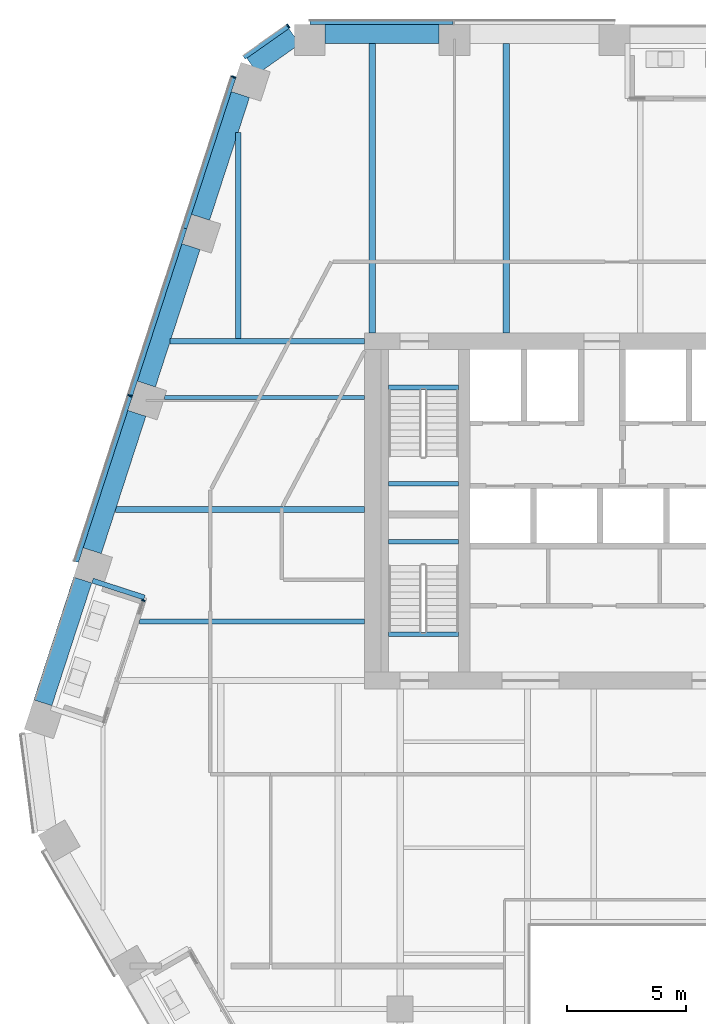
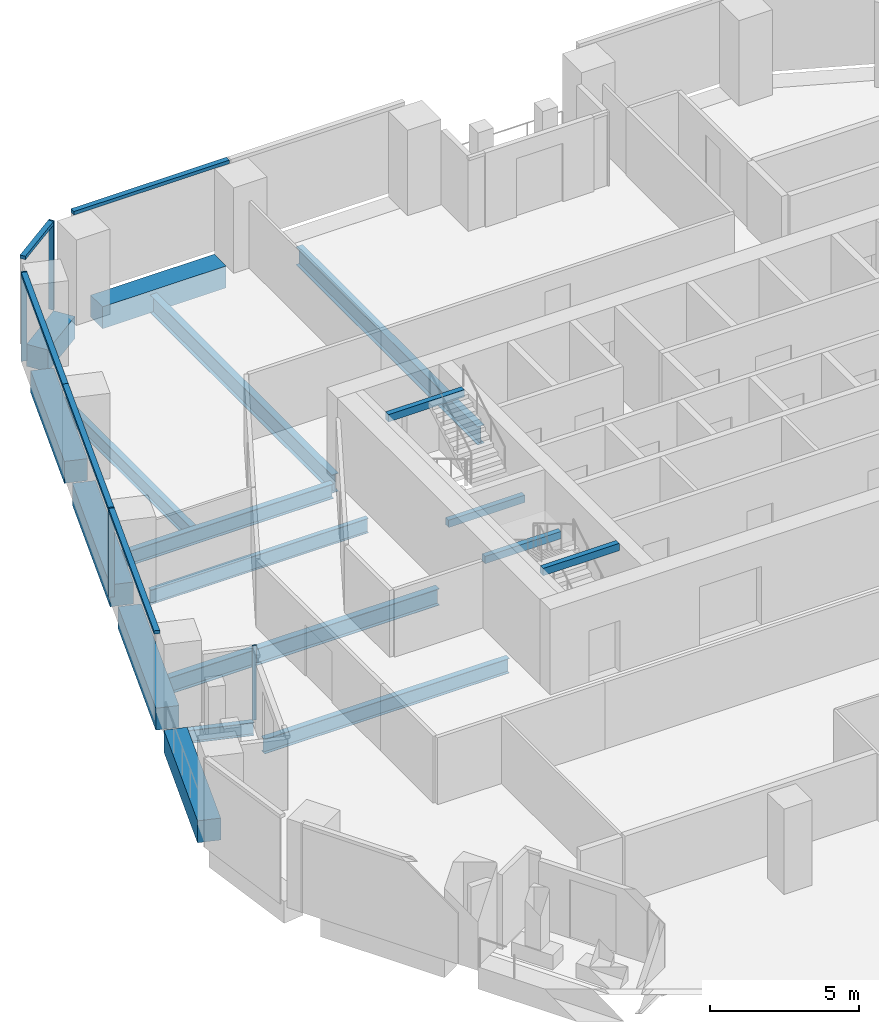
# One storey, part 7 of 25: 18 beams, 9 members, 4 elements without a shape of their own.
"""IFC4 building model written with IfcOpenShell, lengths in metres."""

from ifc_helpers import new_model, si_unit, direction, frame, origin, origin_2d, place, context, subcontext, project, spatial, rectangle, i_section, extrude, material, layer, layer_set, material_profile, profile_set, type_object, element, aggregate, save


model = new_model("IFC4")

# Units and contexts
model_context = context("Model", 3, precision=1e-05, world=origin(), true_north=direction((0.0, 1.0)))
body_context = subcontext(model_context, "Body", "Model", "MODEL_VIEW")
ifc_project = project(units=[si_unit("LENGTHUNIT", "METRE"), si_unit("AREAUNIT", "SQUARE_METRE"), si_unit("VOLUMEUNIT", "CUBIC_METRE"), si_unit("PLANEANGLEUNIT", "RADIAN"), si_unit("MASSUNIT", "GRAM", prefix="KILO")], contexts=[model_context])

# Site, building, storey
site_placement = place(None, origin())
site = spatial("IfcSite", under=ifc_project, at=site_placement, CompositionType="ELEMENT")
building_placement = place(site_placement, origin())
building = spatial("IfcBuilding", under=site, at=building_placement, Name="Isthmus Gate Tower", CompositionType="ELEMENT")
storey_placement = place(building_placement, frame((0.0, 0.0, 174.449951171875)))
storey = spatial("IfcBuildingStorey", under=building, at=storey_placement, Name="L43", CompositionType="ELEMENT", Elevation=174.449951171875)

# Curtain wall, member
ifc_material_1 = material(Name="Aluminium, pale champagne anodised", Category="aluminium")
ifc_layer_1 = layer(ifc_material_1, 0.199951171875)
ifc_layer_set_1 = layer_set([ifc_layer_1], Name="CW-1 UNITISED CURTAIN WALL 200 DEEP")
curtain_wall_type_1 = type_object("IfcCurtainWallType", Name="CW-1 UNITISED CURTAIN WALL 200 DEEP", PredefinedType="NOTDEFINED", material=ifc_layer_set_1)
curtain_wall_1_placement = place(storey_placement, origin())
curtain_wall_1 = element("IfcCurtainWall", 1, at=curtain_wall_1_placement, inside=storey, type_object=curtain_wall_type_1, Name="CW-1 N-NW L43", PredefinedType="NOTDEFINED")
ifc_material_2 = material(Name="Aluminium, pale champagne anodised", Category="aluminium")
ifc_material_profile_1 = material_profile(ifc_material_2, rectangle(XDim=0.06005859375, YDim=0.199951171875, at=origin_2d()), Name="60x200")
ifc_profile_set_1 = profile_set([ifc_material_profile_1], Name="Aluminium, pale champagne anodised")
member_type_1 = type_object("IfcMemberType", Name="CW-1 MULLION 60 X 200", PredefinedType="MULLION", material=ifc_profile_set_1)
member_1_placement = place(storey_placement, frame((-18.216552734375, 27.943115234375, 0.0), z_axis=(0.0, 0.0, 1.0), x_axis=(-0.81785959165, -0.57541783805, 0.0)))
member_1 = element("IfcMember", 2, at=member_1_placement, type_object=member_type_1, Name="CW-1 mullion", PredefinedType="MULLION", context=body_context, shape_type="SweptSolid", body=[
    extrude(rectangle(XDim=0.06005859375, YDim=0.199951171875, at=origin_2d()), origin(), (0.0, 0.0, 1.0), 3.650146484375),
])

# Curtain wall, members
curtain_wall_2_placement = place(storey_placement, origin())
curtain_wall_2 = element("IfcCurtainWall", 3, at=curtain_wall_2_placement, inside=storey, type_object=curtain_wall_type_1, Name="CW-1 NW L43", PredefinedType="NOTDEFINED")
member_2_placement = place(storey_placement, frame((-20.52001953125, 25.799072265625, 0.0), z_axis=(0.0, 0.0, 1.0), x_axis=(-0.309016994375, -0.951056516295, 0.0)))
member_2 = element("IfcMember", 4, at=member_2_placement, type_object=member_type_1, Name="CW-1 mullion", PredefinedType="MULLION", context=body_context, shape_type="SweptSolid", body=[
    extrude(rectangle(XDim=0.06005859375, YDim=0.199951171875, at=origin_2d()), origin(), (0.0, 0.0, 1.0), 3.650146484375),
])
member_3_placement = place(storey_placement, frame((-24.886962890625, 12.359130859375, 0.0), z_axis=(0.0, 0.0, 1.0), x_axis=(-0.309016994375, -0.951056516295, 0.0)))
member_3 = element("IfcMember", 5, at=member_3_placement, type_object=member_type_1, Name="CW-1 mullion", PredefinedType="MULLION", context=body_context, shape_type="SweptSolid", body=[
    extrude(rectangle(XDim=0.06005859375, YDim=0.199951171875, at=origin_2d()), origin(), (0.0, 0.0, 1.0), 3.650146484375),
])

# Curtain wall, member
curtain_wall_3_placement = place(storey_placement, origin())
curtain_wall_3 = element("IfcCurtainWall", 6, at=curtain_wall_3_placement, inside=storey, type_object=curtain_wall_type_1, Name="CW-1 N L43", PredefinedType="NOTDEFINED")
ifc_material_3 = material(Name="Aluminium, pale champagne anodised", Category="aluminium")
ifc_material_profile_2 = material_profile(ifc_material_3, rectangle(XDim=0.199951171875, YDim=0.139892578125, at=origin_2d()), Name="200x140")
ifc_profile_set_2 = profile_set([ifc_material_profile_2], Name="Aluminium, pale champagne anodised")
member_type_2 = type_object("IfcMemberType", Name="CW-1 TRANSOM 200 X 140", PredefinedType="USERDEFINED", material=ifc_profile_set_2)
member_4_placement = place(storey_placement, frame((-11.271728515625, 28.10009765625, 3.580078125), z_axis=(-1.0, 0.0, 0.0), x_axis=(0.0, -1.0, 0.0)))
member_4 = element("IfcMember", 7, at=member_4_placement, type_object=member_type_2, Name="CW-1 transom", ObjectType="TRANSOM", PredefinedType="USERDEFINED", context=body_context, shape_type="SweptSolid", body=[
    extrude(rectangle(XDim=0.199951171875, YDim=0.139892578125, at=origin_2d()), origin(), (0.0, 0.0, 1.0), 6.040283203125),
])
aggregate(curtain_wall_3, [member_4])

# Member
member_5_placement = place(storey_placement, frame((-18.2412109375, 27.92578125, 3.580078125), z_axis=(-0.817868595604, -0.575405040233, 0.0), x_axis=(0.575405040233, -0.817868595604, 0.0)))
member_5 = element("IfcMember", 8, at=member_5_placement, type_object=member_type_2, Name="CW-1 transom", ObjectType="TRANSOM", PredefinedType="USERDEFINED", context=body_context, shape_type="SweptSolid", body=[
    extrude(rectangle(XDim=0.199951171875, YDim=0.139892578125, at=origin_2d()), origin(), (0.0, 0.0, 1.0), 2.258544921875),
])

aggregate(curtain_wall_1, [member_1, member_5])

member_6_placement = place(storey_placement, frame((-20.529296875, 25.7705078125, 3.580078125), z_axis=(-0.309015834351, -0.951056893209, 0.0), x_axis=(0.951056893209, -0.309015834351, 0.0)))
member_6 = element("IfcMember", 9, at=member_6_placement, type_object=member_type_2, Name="CW-1 transom", ObjectType="TRANSOM", PredefinedType="USERDEFINED", context=body_context, shape_type="SweptSolid", body=[
    extrude(rectangle(XDim=0.199951171875, YDim=0.139892578125, at=origin_2d()), origin(), (0.0, 0.0, 1.0), 6.6806640625),
])

member_7_placement = place(storey_placement, frame((-22.59375, 19.416748046875, 3.580078125), z_axis=(-0.309024076379, -0.951054215183, 0.0), x_axis=(0.951054215183, -0.309024076379, 0.0)))
member_7 = element("IfcMember", 10, at=member_7_placement, type_object=member_type_2, Name="CW-1 transom", ObjectType="TRANSOM", PredefinedType="USERDEFINED", context=body_context, shape_type="SweptSolid", body=[
    extrude(rectangle(XDim=0.199951171875, YDim=0.139892578125, at=origin_2d()), origin(), (0.0, 0.0, 1.0), 7.390869140625),
])

member_8_placement = place(storey_placement, frame((-24.896240234375, 12.33056640625, 3.580078125), z_axis=(-0.309025074527, -0.951053890857, 0.0), x_axis=(0.951053890857, -0.309025074527, 0.0)))
member_8 = element("IfcMember", 11, at=member_8_placement, type_object=member_type_2, Name="CW-1 transom", ObjectType="TRANSOM", PredefinedType="USERDEFINED", context=body_context, shape_type="SweptSolid", body=[
    extrude(rectangle(XDim=0.199951171875, YDim=0.139892578125, at=origin_2d()), origin(), (0.0, 0.0, 1.0), 7.330810546875),
])

aggregate(curtain_wall_2, [member_2, member_6, member_7, member_3, member_8])

# Curtain wall, member
ifc_material_4 = material(Name="Aluminium, pale champagne anodised", Category="aluminium")
ifc_layer_2 = layer(ifc_material_4, 0.14990234375)
ifc_layer_set_2 = layer_set([ifc_layer_2], Name="CW-6 LOGGIA BACK WALL GLAZING 150 DEEP")
curtain_wall_type_2 = type_object("IfcCurtainWallType", Name="CW-6 LOGGIA BACK WALL GLAZING 150 DEEP", PredefinedType="NOTDEFINED", material=ifc_layer_set_2)
curtain_wall_4_placement = place(storey_placement, origin())
curtain_wall_4 = element("IfcCurtainWall", 12, at=curtain_wall_4_placement, inside=storey, type_object=curtain_wall_type_2, Name="CW-6 NW L43", PredefinedType="NOTDEFINED")
ifc_material_5 = material(Name="Aluminium, pale champagne anodised", Category="aluminium")
ifc_material_profile_3 = material_profile(ifc_material_5, rectangle(XDim=0.06005859375, YDim=0.14990234375, at=origin_2d()), Name="60x150")
ifc_profile_set_3 = profile_set([ifc_material_profile_3], Name="Aluminium, pale champagne anodised")
member_type_3 = type_object("IfcMemberType", Name="CW-6 MULLION 60 X 150", PredefinedType="MULLION", material=ifc_profile_set_3)
member_9_placement = place(storey_placement, frame((-24.328369140625, 3.72314453125, 0.0), z_axis=(0.0, 0.0, 1.0), x_axis=(-0.309016994375, -0.951056516295, 0.0)))
member_9 = element("IfcMember", 13, at=member_9_placement, type_object=member_type_3, Name="CW-6 mullion", PredefinedType="MULLION", context=body_context, shape_type="SweptSolid", body=[
    extrude(rectangle(XDim=0.06005859375, YDim=0.14990234375, at=origin_2d()), origin(), (0.0, 0.0, 1.0), 3.050048828125),
])
aggregate(curtain_wall_4, [member_9])

# Beams
ifc_material_6 = material(Name="Concrete f'c 60 MPa", Category="concrete")
ifc_material_profile_4 = material_profile(ifc_material_6, rectangle(XDim=0.800048828125, YDim=0.89990234375, at=origin_2d()), Name="RC 800X900")
ifc_profile_set_4 = profile_set([ifc_material_profile_4], Name="Concrete f'c 60 MPa")
beam_type_1 = type_object("IfcBeamType", Name="RC SPANDREL 800 X 900", PredefinedType="SPANDREL", material=ifc_profile_set_4)
beam_1_placement = place(storey_placement, frame((-28.568115234375, -0.588623046875, -0.449951171875), z_axis=(0.308989680586, 0.95106539065, 0.0), x_axis=(-0.95106539065, 0.308989680586, 0.0)))
element("IfcBeam", 14, at=beam_1_placement, inside=storey, type_object=beam_type_1, Name="str-spandrel-L43-21", PredefinedType="SPANDREL", context=body_context, shape_type="SweptSolid", body=[
    extrude(rectangle(XDim=0.800048828125, YDim=0.89990234375, at=origin_2d()), origin(), (0.0, 0.0, 1.0), 5.44091796875),
])
for number, where, z_axis, x_axis, name in (
    (15, (-26.485107421875, 5.822265625, -0.449951171875), (0.309003593002, 0.951060870561, 0.0), (-0.951060870561, 0.309003593002, 0.0), "str-spandrel-L43-22"),
    (16, (-24.201416015625, 12.851318359375, -0.449951171875), (0.309039848514, 0.951049090232, 0.0), (-0.951049090232, 0.309039848514, 0.0), "str-spandrel-L43-23"),
):
    element("IfcBeam", number, at=place(storey_placement, frame(where, z_axis=z_axis, x_axis=x_axis)), inside=storey, type_object=beam_type_1, Name=name, PredefinedType="SPANDREL", context=body_context, shape_type="SweptSolid", body=[
        extrude(rectangle(XDim=0.800048828125, YDim=0.89990234375, at=origin_2d()), origin(), (0.0, 0.0, 1.0), 6.0908203125),
    ])
beam_2_placement = place(storey_placement, frame((-21.91748046875, 19.88037109375, -0.449951171875), z_axis=(0.309030267747, 0.951052203413, 0.0), x_axis=(-0.951052203413, 0.309030267747, 0.0)))
element("IfcBeam", 17, at=beam_2_placement, inside=storey, type_object=beam_type_1, Name="str-spandrel-L43-24", PredefinedType="SPANDREL", context=body_context, shape_type="SweptSolid", body=[
    extrude(rectangle(XDim=0.800048828125, YDim=0.89990234375, at=origin_2d()), origin(), (0.0, 0.0, 1.0), 5.44091796875),
])
beam_3_placement = place(storey_placement, frame((-19.7392578125, 26.260498046875, -0.449951171875), z_axis=(0.817857331203, 0.575421050882, 0.0), x_axis=(-0.575421050882, 0.817857331203, 0.0)))
element("IfcBeam", 18, at=beam_3_placement, inside=storey, type_object=beam_type_1, Name="str-spandrel-L43-25", PredefinedType="SPANDREL", context=body_context, shape_type="SweptSolid", body=[
    extrude(rectangle(XDim=0.800048828125, YDim=0.89990234375, at=origin_2d()), origin(), (0.0, 0.0, 1.0), 2.173095703125),
])
beam_4_placement = place(storey_placement, frame((-16.661865234375, 27.60009765625, -0.449951171875), z_axis=(1.0, 0.0, 0.0), x_axis=(0.0, 1.0, 0.0)))
element("IfcBeam", 19, at=beam_4_placement, inside=storey, type_object=beam_type_1, Name="str-spandrel-L43-26", PredefinedType="SPANDREL", context=body_context, shape_type="SweptSolid", body=[
    extrude(rectangle(XDim=0.800048828125, YDim=0.89990234375, at=origin_2d()), origin(), (0.0, 0.0, 1.0), 4.800048828125),
])
ifc_material_7 = material(Name="Concrete f'c 40 MPa", Category="concrete")
ifc_material_profile_5 = material_profile(ifc_material_7, rectangle(XDim=0.199951171875, YDim=0.300048828125, at=origin_2d()), Name="STAIR LANDING BEAM RC 200 X 300")
ifc_profile_set_5 = profile_set([ifc_material_profile_5], Name="Concrete f'c 40 MPa")
beam_type_2 = type_object("IfcBeamType", Name="STAIR LANDING BEAM RC 200 X 300", PredefinedType="BEAM", material=ifc_profile_set_5)
for number, where, z_axis, x_axis, name in (
    (20, (-14.0, 8.64990234375, 1.47509765625), (1.0, 0.0, 0.0), (0.0, 1.0, 0.0), "L43 ST1 landing beam 1"),
    (21, (-14.0, 12.7001953125, 3.35009765625), (1.0, 0.0, 0.0), (0.0, 1.0, 0.0), "L43 ST1 floor-edge seat beam"),
    (22, (-14.0, 6.199951171875, 1.47509765625), (1.0, 0.0, 0.0), (0.0, 1.0, 0.0), "L43 ST7 landing beam 1"),
    (23, (-14.0, 2.2998046875, 3.35009765625), (1.0, 0.0, 0.0), (0.0, 1.0, 0.0), "L43 ST7 floor-edge seat beam"),
):
    element("IfcBeam", number, at=place(storey_placement, frame(where, z_axis=z_axis, x_axis=x_axis)), inside=storey, type_object=beam_type_2, Name=name, PredefinedType="BEAM", context=body_context, shape_type="SweptSolid", body=[
        extrude(rectangle(XDim=0.199951171875, YDim=0.300048828125, at=origin_2d()), origin(), (0.0, 0.0, 1.0), 2.949951171875),
    ])
ifc_material_8 = material(Name="Structural steel ASTM A992 Gr 50", Category="steel")
ifc_material_profile_6 = material_profile(ifc_material_8, i_section(OverallWidth=0.177734375, OverallDepth=0.60009765625, WebThickness=0.009521484375, FlangeThickness=0.0126953125, at=origin_2d()), Name="W24X55")
ifc_profile_set_6 = profile_set([ifc_material_profile_6], Name="Structural steel ASTM A992 Gr 50")
beam_type_3 = type_object("IfcBeamType", Name="STEEL FLOOR BEAM W24X55", PredefinedType="JOIST", material=ifc_profile_set_6)
beam_5_placement = place(storey_placement, frame((-23.438232421875, 12.287841796875, -0.449951171875), z_axis=(1.0, 0.0, 0.0), x_axis=(0.0, 1.0, 0.0)))
element("IfcBeam", 24, at=beam_5_placement, inside=storey, type_object=beam_type_3, Name="str-beam-L43-03-02", PredefinedType="JOIST", context=body_context, shape_type="SweptSolid", body=[
    extrude(i_section(OverallWidth=0.177734375, OverallDepth=0.60009765625, WebThickness=0.009521484375, FlangeThickness=0.0126953125, at=origin_2d()), origin(), (0.0, 0.0, 1.0), 8.438232421875),
])
ifc_material_9 = material(Name="Structural steel ASTM A992 Gr 50", Category="steel")
ifc_material_profile_7 = material_profile(ifc_material_9, i_section(OverallWidth=0.228515625, OverallDepth=0.603271484375, WebThickness=0.010986328125, FlangeThickness=0.014404296875, at=origin_2d()), Name="W24X68")
ifc_profile_set_7 = profile_set([ifc_material_profile_7], Name="Structural steel ASTM A992 Gr 50")
beam_type_4 = type_object("IfcBeamType", Name="STEEL FLOOR BEAM W24X68", PredefinedType="JOIST", material=ifc_profile_set_7)
beam_6_placement = place(storey_placement, frame((-24.50048828125, 2.839111328125, -0.45166015625), z_axis=(1.0, 0.0, 0.0), x_axis=(0.0, 1.0, 0.0)))
element("IfcBeam", 25, at=beam_6_placement, inside=storey, type_object=beam_type_4, Name="str-beam-L43-03-00", PredefinedType="JOIST", context=body_context, shape_type="SweptSolid", body=[
    extrude(i_section(OverallWidth=0.228515625, OverallDepth=0.603271484375, WebThickness=0.010986328125, FlangeThickness=0.014404296875, at=origin_2d()), origin(), (0.0, 0.0, 1.0), 9.50048828125),
])
beam_7_placement = place(storey_placement, frame((-20.332763671875, 14.764404296875, -0.45166015625), z_axis=(0.0, 1.0, 0.0), x_axis=(-1.0, 0.0, 0.0)))
element("IfcBeam", 26, at=beam_7_placement, inside=storey, type_object=beam_type_4, Name="str-beam-L43-07-00", PredefinedType="JOIST", context=body_context, shape_type="SweptSolid", body=[
    extrude(i_section(OverallWidth=0.228515625, OverallDepth=0.603271484375, WebThickness=0.010986328125, FlangeThickness=0.014404296875, at=origin_2d()), origin(), (0.0, 0.0, 1.0), 8.69873046875),
])
ifc_material_10 = material(Name="Structural steel ASTM A992 Gr 50", Category="steel")
ifc_material_profile_8 = material_profile(ifc_material_10, i_section(OverallWidth=0.25390625, OverallDepth=0.679443359375, WebThickness=0.010986328125, FlangeThickness=0.015869140625, at=origin_2d()), Name="W27X84")
ifc_profile_set_8 = profile_set([ifc_material_profile_8], Name="Structural steel ASTM A992 Gr 50")
beam_type_5 = type_object("IfcBeamType", Name="STEEL FLOOR BEAM W27X84", PredefinedType="JOIST", material=ifc_profile_set_8)
beam_8_placement = place(storey_placement, frame((-25.498779296875, 7.5634765625, -0.48974609375), z_axis=(1.0, 0.0, 0.0), x_axis=(0.0, 1.0, 0.0)))
element("IfcBeam", 27, at=beam_8_placement, inside=storey, type_object=beam_type_5, Name="str-beam-L43-03-01", PredefinedType="JOIST", context=body_context, shape_type="SweptSolid", body=[
    extrude(i_section(OverallWidth=0.25390625, OverallDepth=0.679443359375, WebThickness=0.010986328125, FlangeThickness=0.015869140625, at=origin_2d()), origin(), (0.0, 0.0, 1.0), 10.498779296875),
])
ifc_material_11 = material(Name="Structural steel ASTM A992 Gr 50", Category="steel")
ifc_material_profile_9 = material_profile(ifc_material_11, i_section(OverallWidth=0.263427734375, OverallDepth=0.749267578125, WebThickness=0.0126953125, FlangeThickness=0.015869140625, at=origin_2d()), Name="W30X90")
ifc_profile_set_9 = profile_set([ifc_material_profile_9], Name="Structural steel ASTM A992 Gr 50")
beam_type_6 = type_object("IfcBeamType", Name="STEEL FLOOR BEAM W30X90", PredefinedType="JOIST", material=ifc_profile_set_9)
for number, where, z_axis, x_axis, name in (
    (28, (-14.679931640625, 15.0, -0.524658203125), (0.0, 1.0, 0.0), (-1.0, 0.0, 0.0), "str-beam-L43-07-01"),
    (29, (-9.027099609375, 15.0, -0.524658203125), (0.0, 1.0, 0.0), (-1.0, 0.0, 0.0), "str-beam-L43-07-02"),
):
    element("IfcBeam", number, at=place(storey_placement, frame(where, z_axis=z_axis, x_axis=x_axis)), inside=storey, type_object=beam_type_6, Name=name, PredefinedType="JOIST", context=body_context, shape_type="SweptSolid", body=[
        extrude(i_section(OverallWidth=0.263427734375, OverallDepth=0.749267578125, WebThickness=0.0126953125, FlangeThickness=0.015869140625, at=origin_2d()), origin(), (0.0, 0.0, 1.0), 12.199951171875),
    ])
ifc_material_12 = material(Name="Structural steel ASTM A992 Gr 50", Category="steel")
ifc_material_profile_10 = material_profile(ifc_material_12, i_section(OverallWidth=0.228515625, OverallDepth=0.6064453125, WebThickness=0.010986328125, FlangeThickness=0.017578125, at=origin_2d()), Name="W24X76")
ifc_profile_set_10 = profile_set([ifc_material_profile_10], Name="Structural steel ASTM A992 Gr 50")
beam_type_7 = type_object("IfcBeamType", Name="STEEL GIRDER W24X76", PredefinedType="BEAM", material=ifc_profile_set_10)
beam_9_placement = place(storey_placement, frame((-15.0, 14.64990234375, -0.453125), z_axis=(-1.0, 0.0, 0.0), x_axis=(0.0, -1.0, 0.0)))
element("IfcBeam", 30, at=beam_9_placement, inside=storey, type_object=beam_type_7, Name="str-girder-L43-15", PredefinedType="BEAM", context=body_context, shape_type="SweptSolid", body=[
    extrude(i_section(OverallWidth=0.228515625, OverallDepth=0.6064453125, WebThickness=0.010986328125, FlangeThickness=0.017578125, at=origin_2d()), origin(), (0.0, 0.0, 1.0), 8.1962890625),
])
ifc_material_13 = material(Name="Structural steel ASTM A992 Gr 50", Category="steel")
ifc_material_profile_11 = material_profile(ifc_material_13, i_section(OverallWidth=0.20947265625, OverallDepth=0.533447265625, WebThickness=0.009521484375, FlangeThickness=0.015869140625, at=origin_2d()), Name="W21X62")
ifc_profile_set_11 = profile_set([ifc_material_profile_11], Name="Structural steel ASTM A992 Gr 50")
beam_type_8 = type_object("IfcBeamType", Name="STEEL TRIMMER W21X62", PredefinedType="BEAM", material=ifc_profile_set_11)
beam_10_placement = place(storey_placement, frame((-26.47412109375, 4.56201171875, -0.416748046875), z_axis=(0.951060533358, -0.309004630854, 0.0), x_axis=(0.309004630854, 0.951060533358, 0.0)))
element("IfcBeam", 31, at=beam_10_placement, inside=storey, type_object=beam_type_8, Name="str-loggiatrim-L43-02-A", PredefinedType="BEAM", context=body_context, shape_type="SweptSolid", body=[
    extrude(i_section(OverallWidth=0.20947265625, OverallDepth=0.533447265625, WebThickness=0.009521484375, FlangeThickness=0.015869140625, at=origin_2d()), origin(), (0.0, 0.0, 1.0), 2.3046875),
])

save(model, "model.ifc")
